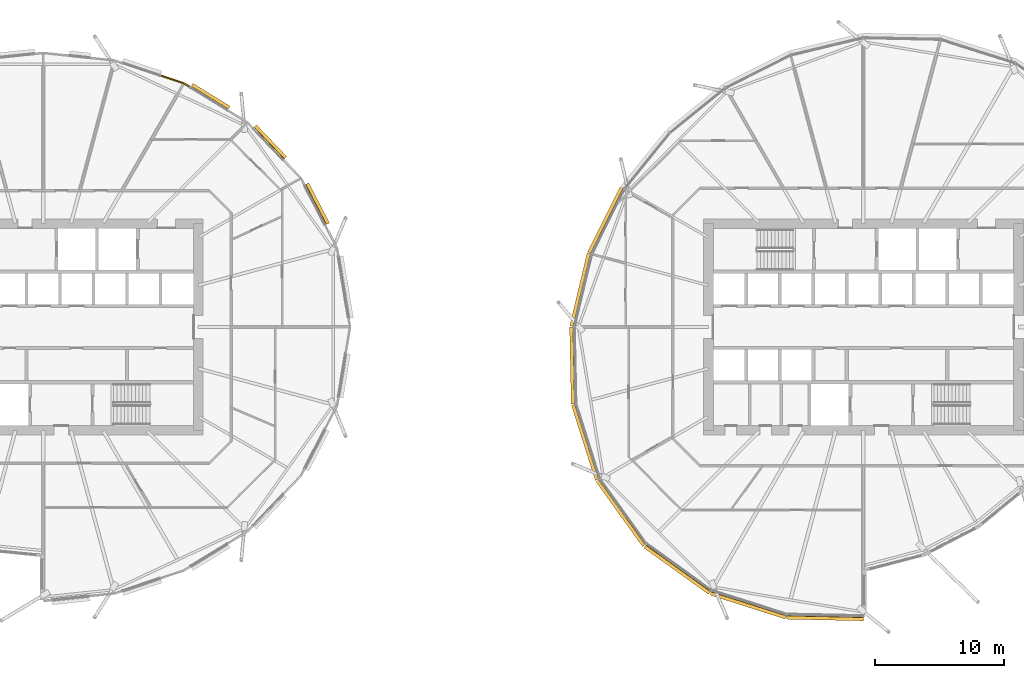
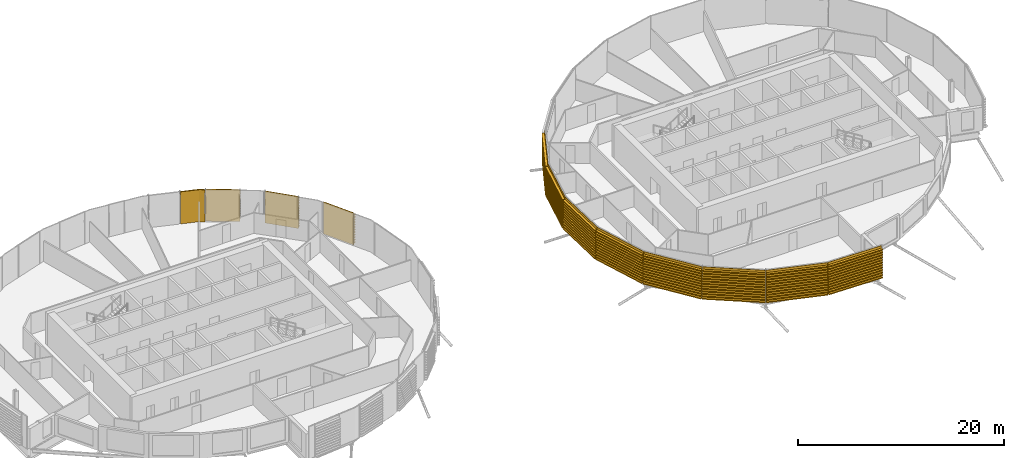
# One storey, part 38 of 40: 12 coverings.
"""IFC4 building model written with IfcOpenShell, lengths in metres."""

from ifc_helpers import new_model, si_unit, direction, frame, origin, place, context, subcontext, project, spatial, polyline, outline, extrude, material, layer, layer_set, material_profile, profile_set, type_object, element, save


model = new_model("IFC4")

# Units and contexts
model_context = context("Model", 3, precision=1e-05, world=origin(), true_north=direction((0.0, 1.0)))
body_context = subcontext(model_context, "Body", "Model", "MODEL_VIEW")
ifc_project = project(units=[si_unit("LENGTHUNIT", "METRE"), si_unit("AREAUNIT", "SQUARE_METRE"), si_unit("VOLUMEUNIT", "CUBIC_METRE"), si_unit("PLANEANGLEUNIT", "RADIAN"), si_unit("MASSUNIT", "GRAM", prefix="KILO")], contexts=[model_context])

# Site, building, storey
site_placement = place(None, origin())
site = spatial("IfcSite", under=ifc_project, at=site_placement, CompositionType="ELEMENT")
building_placement = place(site_placement, origin())
building = spatial("IfcBuilding", under=site, at=building_placement, Name="Rimbun Link Towers", CompositionType="ELEMENT")
storey_placement = place(building_placement, frame((0.0, 0.0, 89.199951171875)))
storey = spatial("IfcBuildingStorey", under=building, at=storey_placement, Name="L21", CompositionType="ELEMENT", Elevation=89.199951171875)

# Coverings
ifc_material_1 = material(Name="Terracotta", Category="masonry")
ifc_layer = layer(ifc_material_1, 0.1201171875)
ifc_layer_set = layer_set([ifc_layer], Name="LINK PIER terracotta cladding 120")
covering_type_1 = type_object("IfcCoveringType", Name="LINK PIER terracotta cladding 120", PredefinedType="CLADDING", material=ifc_layer_set)
covering_1_placement = place(storey_placement, origin())
element("IfcCovering", 1, at=covering_1_placement, inside=storey, type_object=covering_type_1, Name="LINK PIER cladding", PredefinedType="CLADDING", context=body_context, shape_type="SweptSolid", body=[
    extrude(outline(polyline([(-22.6630859375, 19.401611328125), (-20.88818359375, 18.8134765625), (-20.40234375, 18.51513671875), (-20.339599609375, 18.617431640625), (-20.837158203125, 18.9228515625), (-22.62548828125, 19.515625), (-22.6630859375, 19.401611328125)])), origin(), (0.0, 0.0, 1.0), 3.800048828125),
])
ifc_material_2 = material(Name="Terracotta", Category="masonry")
ifc_material_profile = material_profile(ifc_material_2, outline(polyline([(0.123046875, 0.0), (0.1630859375, 0.0), (0.1630859375, 0.10009765625), (0.423095703125, 0.10009765625), (0.423095703125, 0.219970703125), (0.1630859375, 0.219970703125), (0.1630859375, 0.39990234375), (0.423095703125, 0.39990234375), (0.423095703125, 0.52001953125), (0.1630859375, 0.52001953125), (0.1630859375, 0.699951171875), (0.423095703125, 0.699951171875), (0.423095703125, 0.820068359375), (0.1630859375, 0.820068359375), (0.1630859375, 1.0), (0.423095703125, 1.0), (0.423095703125, 1.1201171875), (0.1630859375, 1.1201171875), (0.1630859375, 1.300048828125), (0.423095703125, 1.300048828125), (0.423095703125, 1.419921875), (0.1630859375, 1.419921875), (0.1630859375, 1.60009765625), (0.423095703125, 1.60009765625), (0.423095703125, 1.719970703125), (0.1630859375, 1.719970703125), (0.1630859375, 1.89990234375), (0.423095703125, 1.89990234375), (0.423095703125, 2.02001953125), (0.1630859375, 2.02001953125), (0.1630859375, 2.199951171875), (0.423095703125, 2.199951171875), (0.423095703125, 2.320068359375), (0.1630859375, 2.320068359375), (0.1630859375, 2.5), (0.423095703125, 2.5), (0.423095703125, 2.6201171875), (0.1630859375, 2.6201171875), (0.1630859375, 2.800048828125), (0.423095703125, 2.800048828125), (0.423095703125, 2.919921875), (0.1630859375, 2.919921875), (0.1630859375, 3.10009765625), (0.423095703125, 3.10009765625), (0.423095703125, 3.219970703125), (0.1630859375, 3.219970703125), (0.1630859375, 3.39990234375), (0.423095703125, 3.39990234375), (0.423095703125, 3.52001953125), (0.1630859375, 3.52001953125), (0.1630859375, 3.800048828125), (0.123046875, 3.800048828125), (0.123046875, 0.0)])), Name="BAGUETTE 120X300")
ifc_profile_set = profile_set([ifc_material_profile], Name="Terracotta")
covering_type_2 = type_object("IfcCoveringType", Name="TERRACOTTA BAGUETTE 120X300 H3800", PredefinedType="CLADDING", material=ifc_profile_set)
covering_2_placement = place(storey_placement, frame((-11.567626953125, 10.960205078125, 0.0), z_axis=(0.459537083826, -0.888158583018, 0.0), x_axis=(0.888158583018, 0.459537083826, 0.0)))
element("IfcCovering", 2, at=covering_2_placement, inside=storey, type_object=covering_type_2, Name="TERRACOTTA BAGUETTE", PredefinedType="CLADDING", context=body_context, shape_type="SweptSolid", body=[
    extrude(outline(polyline([(0.123046875, 0.0), (0.1630859375, 0.0), (0.1630859375, 0.10009765625), (0.423095703125, 0.10009765625), (0.423095703125, 0.219970703125), (0.1630859375, 0.219970703125), (0.1630859375, 0.39990234375), (0.423095703125, 0.39990234375), (0.423095703125, 0.52001953125), (0.1630859375, 0.52001953125), (0.1630859375, 0.699951171875), (0.423095703125, 0.699951171875), (0.423095703125, 0.820068359375), (0.1630859375, 0.820068359375), (0.1630859375, 1.0), (0.423095703125, 1.0), (0.423095703125, 1.1201171875), (0.1630859375, 1.1201171875), (0.1630859375, 1.300048828125), (0.423095703125, 1.300048828125), (0.423095703125, 1.419921875), (0.1630859375, 1.419921875), (0.1630859375, 1.60009765625), (0.423095703125, 1.60009765625), (0.423095703125, 1.719970703125), (0.1630859375, 1.719970703125), (0.1630859375, 1.89990234375), (0.423095703125, 1.89990234375), (0.423095703125, 2.02001953125), (0.1630859375, 2.02001953125), (0.1630859375, 2.199951171875), (0.423095703125, 2.199951171875), (0.423095703125, 2.320068359375), (0.1630859375, 2.320068359375), (0.1630859375, 2.5), (0.423095703125, 2.5), (0.423095703125, 2.6201171875), (0.1630859375, 2.6201171875), (0.1630859375, 2.800048828125), (0.423095703125, 2.800048828125), (0.423095703125, 2.919921875), (0.1630859375, 2.919921875), (0.1630859375, 3.10009765625), (0.423095703125, 3.10009765625), (0.423095703125, 3.219970703125), (0.1630859375, 3.219970703125), (0.1630859375, 3.39990234375), (0.423095703125, 3.39990234375), (0.423095703125, 3.52001953125), (0.1630859375, 3.52001953125), (0.1630859375, 3.800048828125), (0.123046875, 3.800048828125), (0.123046875, 0.0)])), origin(), (0.0, 0.0, 1.0), 3.490478515625),
])
covering_3_placement = place(storey_placement, frame((-15.546142578125, 15.35546875, 0.0), z_axis=(0.692016066289, -0.721882098406, 0.0), x_axis=(0.721882098406, 0.692016066289, 0.0)))
element("IfcCovering", 3, at=covering_3_placement, inside=storey, type_object=covering_type_2, Name="TERRACOTTA BAGUETTE", PredefinedType="CLADDING", context=body_context, shape_type="SweptSolid", body=[
    extrude(outline(polyline([(0.123046875, 0.0), (0.1630859375, 0.0), (0.1630859375, 0.10009765625), (0.423095703125, 0.10009765625), (0.423095703125, 0.219970703125), (0.1630859375, 0.219970703125), (0.1630859375, 0.39990234375), (0.423095703125, 0.39990234375), (0.423095703125, 0.52001953125), (0.1630859375, 0.52001953125), (0.1630859375, 0.699951171875), (0.423095703125, 0.699951171875), (0.423095703125, 0.820068359375), (0.1630859375, 0.820068359375), (0.1630859375, 1.0), (0.423095703125, 1.0), (0.423095703125, 1.1201171875), (0.1630859375, 1.1201171875), (0.1630859375, 1.300048828125), (0.423095703125, 1.300048828125), (0.423095703125, 1.419921875), (0.1630859375, 1.419921875), (0.1630859375, 1.60009765625), (0.423095703125, 1.60009765625), (0.423095703125, 1.719970703125), (0.1630859375, 1.719970703125), (0.1630859375, 1.89990234375), (0.423095703125, 1.89990234375), (0.423095703125, 2.02001953125), (0.1630859375, 2.02001953125), (0.1630859375, 2.199951171875), (0.423095703125, 2.199951171875), (0.423095703125, 2.320068359375), (0.1630859375, 2.320068359375), (0.1630859375, 2.5), (0.423095703125, 2.5), (0.423095703125, 2.6201171875), (0.1630859375, 2.6201171875), (0.1630859375, 2.800048828125), (0.423095703125, 2.800048828125), (0.423095703125, 2.919921875), (0.1630859375, 2.919921875), (0.1630859375, 3.10009765625), (0.423095703125, 3.10009765625), (0.423095703125, 3.219970703125), (0.1630859375, 3.219970703125), (0.1630859375, 3.39990234375), (0.423095703125, 3.39990234375), (0.423095703125, 3.52001953125), (0.1630859375, 3.52001953125), (0.1630859375, 3.800048828125), (0.123046875, 3.800048828125), (0.123046875, 0.0)])), origin(), (0.0, 0.0, 1.0), 3.400634765625),
])
covering_4_placement = place(storey_placement, frame((-20.376708984375, 18.49951171875, 0.0), z_axis=(0.85216614194, -0.523271312544, 0.0), x_axis=(0.523271312544, 0.85216614194, 0.0)))
element("IfcCovering", 4, at=covering_4_placement, inside=storey, type_object=covering_type_2, Name="TERRACOTTA BAGUETTE", PredefinedType="CLADDING", context=body_context, shape_type="SweptSolid", body=[
    extrude(outline(polyline([(0.123046875, 0.0), (0.1630859375, 0.0), (0.1630859375, 0.10009765625), (0.423095703125, 0.10009765625), (0.423095703125, 0.219970703125), (0.1630859375, 0.219970703125), (0.1630859375, 0.39990234375), (0.423095703125, 0.39990234375), (0.423095703125, 0.52001953125), (0.1630859375, 0.52001953125), (0.1630859375, 0.699951171875), (0.423095703125, 0.699951171875), (0.423095703125, 0.820068359375), (0.1630859375, 0.820068359375), (0.1630859375, 1.0), (0.423095703125, 1.0), (0.423095703125, 1.1201171875), (0.1630859375, 1.1201171875), (0.1630859375, 1.300048828125), (0.423095703125, 1.300048828125), (0.423095703125, 1.419921875), (0.1630859375, 1.419921875), (0.1630859375, 1.60009765625), (0.423095703125, 1.60009765625), (0.423095703125, 1.719970703125), (0.1630859375, 1.719970703125), (0.1630859375, 1.89990234375), (0.423095703125, 1.89990234375), (0.423095703125, 2.02001953125), (0.1630859375, 2.02001953125), (0.1630859375, 2.199951171875), (0.423095703125, 2.199951171875), (0.423095703125, 2.320068359375), (0.1630859375, 2.320068359375), (0.1630859375, 2.5), (0.423095703125, 2.5), (0.423095703125, 2.6201171875), (0.1630859375, 2.6201171875), (0.1630859375, 2.800048828125), (0.423095703125, 2.800048828125), (0.423095703125, 2.919921875), (0.1630859375, 2.919921875), (0.1630859375, 3.10009765625), (0.423095703125, 3.10009765625), (0.423095703125, 3.219970703125), (0.1630859375, 3.219970703125), (0.1630859375, 3.39990234375), (0.423095703125, 3.39990234375), (0.423095703125, 3.52001953125), (0.1630859375, 3.52001953125), (0.1630859375, 3.800048828125), (0.123046875, 3.800048828125), (0.123046875, 0.0)])), origin(), (0.0, 0.0, 1.0), 3.381103515625),
])
covering_5_placement = place(storey_placement, frame((10.766357421875, 5.62255859375, 0.0), z_axis=(0.448790798271, 0.893636849837, 0.0), x_axis=(-0.893636849837, 0.448790798271, 0.0)))
element("IfcCovering", 5, at=covering_5_placement, inside=storey, type_object=covering_type_2, Name="TERRACOTTA BAGUETTE", PredefinedType="CLADDING", context=body_context, shape_type="SweptSolid", body=[
    extrude(outline(polyline([(0.123046875, 0.0), (0.1630859375, 0.0), (0.1630859375, 0.10009765625), (0.423095703125, 0.10009765625), (0.423095703125, 0.219970703125), (0.1630859375, 0.219970703125), (0.1630859375, 0.39990234375), (0.423095703125, 0.39990234375), (0.423095703125, 0.52001953125), (0.1630859375, 0.52001953125), (0.1630859375, 0.699951171875), (0.423095703125, 0.699951171875), (0.423095703125, 0.820068359375), (0.1630859375, 0.820068359375), (0.1630859375, 1.0), (0.423095703125, 1.0), (0.423095703125, 1.1201171875), (0.1630859375, 1.1201171875), (0.1630859375, 1.300048828125), (0.423095703125, 1.300048828125), (0.423095703125, 1.419921875), (0.1630859375, 1.419921875), (0.1630859375, 1.60009765625), (0.423095703125, 1.60009765625), (0.423095703125, 1.719970703125), (0.1630859375, 1.719970703125), (0.1630859375, 1.89990234375), (0.423095703125, 1.89990234375), (0.423095703125, 2.02001953125), (0.1630859375, 2.02001953125), (0.1630859375, 2.199951171875), (0.423095703125, 2.199951171875), (0.423095703125, 2.320068359375), (0.1630859375, 2.320068359375), (0.1630859375, 2.5), (0.423095703125, 2.5), (0.423095703125, 2.6201171875), (0.1630859375, 2.6201171875), (0.1630859375, 2.800048828125), (0.423095703125, 2.800048828125), (0.423095703125, 2.919921875), (0.1630859375, 2.919921875), (0.1630859375, 3.10009765625), (0.423095703125, 3.10009765625), (0.423095703125, 3.219970703125), (0.1630859375, 3.219970703125), (0.1630859375, 3.39990234375), (0.423095703125, 3.39990234375), (0.423095703125, 3.52001953125), (0.1630859375, 3.52001953125), (0.1630859375, 3.800048828125), (0.123046875, 3.800048828125), (0.123046875, 0.0)])), origin(), (0.0, 0.0, 1.0), 5.632080078125),
])
covering_6_placement = place(storey_placement, frame((9.421630859375, 0.0, 0.0), z_axis=(0.232606212243, 0.972570999992, 0.0), x_axis=(-0.972570999992, 0.232606212243, 0.0)))
element("IfcCovering", 6, at=covering_6_placement, inside=storey, type_object=covering_type_2, Name="TERRACOTTA BAGUETTE", PredefinedType="CLADDING", context=body_context, shape_type="SweptSolid", body=[
    extrude(outline(polyline([(0.123046875, 0.0), (0.1630859375, 0.0), (0.1630859375, 0.10009765625), (0.423095703125, 0.10009765625), (0.423095703125, 0.219970703125), (0.1630859375, 0.219970703125), (0.1630859375, 0.39990234375), (0.423095703125, 0.39990234375), (0.423095703125, 0.52001953125), (0.1630859375, 0.52001953125), (0.1630859375, 0.699951171875), (0.423095703125, 0.699951171875), (0.423095703125, 0.820068359375), (0.1630859375, 0.820068359375), (0.1630859375, 1.0), (0.423095703125, 1.0), (0.423095703125, 1.1201171875), (0.1630859375, 1.1201171875), (0.1630859375, 1.300048828125), (0.423095703125, 1.300048828125), (0.423095703125, 1.419921875), (0.1630859375, 1.419921875), (0.1630859375, 1.60009765625), (0.423095703125, 1.60009765625), (0.423095703125, 1.719970703125), (0.1630859375, 1.719970703125), (0.1630859375, 1.89990234375), (0.423095703125, 1.89990234375), (0.423095703125, 2.02001953125), (0.1630859375, 2.02001953125), (0.1630859375, 2.199951171875), (0.423095703125, 2.199951171875), (0.423095703125, 2.320068359375), (0.1630859375, 2.320068359375), (0.1630859375, 2.5), (0.423095703125, 2.5), (0.423095703125, 2.6201171875), (0.1630859375, 2.6201171875), (0.1630859375, 2.800048828125), (0.423095703125, 2.800048828125), (0.423095703125, 2.919921875), (0.1630859375, 2.919921875), (0.1630859375, 3.10009765625), (0.423095703125, 3.10009765625), (0.423095703125, 3.219970703125), (0.1630859375, 3.219970703125), (0.1630859375, 3.39990234375), (0.423095703125, 3.39990234375), (0.423095703125, 3.52001953125), (0.1630859375, 3.52001953125), (0.1630859375, 3.800048828125), (0.123046875, 3.800048828125), (0.123046875, 0.0)])), origin(), (0.0, 0.0, 1.0), 5.78125),
])
covering_7_placement = place(storey_placement, frame((9.547119140625, -5.94921875, 0.0), z_axis=(-0.021088546147, 0.999777611882, 0.0), x_axis=(-0.999777611882, -0.021088546147, 0.0)))
element("IfcCovering", 7, at=covering_7_placement, inside=storey, type_object=covering_type_2, Name="TERRACOTTA BAGUETTE", PredefinedType="CLADDING", context=body_context, shape_type="SweptSolid", body=[
    extrude(outline(polyline([(0.123046875, 0.0), (0.1630859375, 0.0), (0.1630859375, 0.10009765625), (0.423095703125, 0.10009765625), (0.423095703125, 0.219970703125), (0.1630859375, 0.219970703125), (0.1630859375, 0.39990234375), (0.423095703125, 0.39990234375), (0.423095703125, 0.52001953125), (0.1630859375, 0.52001953125), (0.1630859375, 0.699951171875), (0.423095703125, 0.699951171875), (0.423095703125, 0.820068359375), (0.1630859375, 0.820068359375), (0.1630859375, 1.0), (0.423095703125, 1.0), (0.423095703125, 1.1201171875), (0.1630859375, 1.1201171875), (0.1630859375, 1.300048828125), (0.423095703125, 1.300048828125), (0.423095703125, 1.419921875), (0.1630859375, 1.419921875), (0.1630859375, 1.60009765625), (0.423095703125, 1.60009765625), (0.423095703125, 1.719970703125), (0.1630859375, 1.719970703125), (0.1630859375, 1.89990234375), (0.423095703125, 1.89990234375), (0.423095703125, 2.02001953125), (0.1630859375, 2.02001953125), (0.1630859375, 2.199951171875), (0.423095703125, 2.199951171875), (0.423095703125, 2.320068359375), (0.1630859375, 2.320068359375), (0.1630859375, 2.5), (0.423095703125, 2.5), (0.423095703125, 2.6201171875), (0.1630859375, 2.6201171875), (0.1630859375, 2.800048828125), (0.423095703125, 2.800048828125), (0.423095703125, 2.919921875), (0.1630859375, 2.919921875), (0.1630859375, 3.10009765625), (0.423095703125, 3.10009765625), (0.423095703125, 3.219970703125), (0.1630859375, 3.219970703125), (0.1630859375, 3.39990234375), (0.423095703125, 3.39990234375), (0.423095703125, 3.52001953125), (0.1630859375, 3.52001953125), (0.1630859375, 3.800048828125), (0.123046875, 3.800048828125), (0.123046875, 0.0)])), origin(), (0.0, 0.0, 1.0), 5.950439453125),
])
covering_8_placement = place(storey_placement, frame((11.392822265625, -11.753173828125, 0.0), z_axis=(-0.303053085112, 0.952973676239, 0.0), x_axis=(-0.952973676239, -0.303053085112, 0.0)))
element("IfcCovering", 8, at=covering_8_placement, inside=storey, type_object=covering_type_2, Name="TERRACOTTA BAGUETTE", PredefinedType="CLADDING", context=body_context, shape_type="SweptSolid", body=[
    extrude(outline(polyline([(0.123046875, 0.0), (0.1630859375, 0.0), (0.1630859375, 0.10009765625), (0.423095703125, 0.10009765625), (0.423095703125, 0.219970703125), (0.1630859375, 0.219970703125), (0.1630859375, 0.39990234375), (0.423095703125, 0.39990234375), (0.423095703125, 0.52001953125), (0.1630859375, 0.52001953125), (0.1630859375, 0.699951171875), (0.423095703125, 0.699951171875), (0.423095703125, 0.820068359375), (0.1630859375, 0.820068359375), (0.1630859375, 1.0), (0.423095703125, 1.0), (0.423095703125, 1.1201171875), (0.1630859375, 1.1201171875), (0.1630859375, 1.300048828125), (0.423095703125, 1.300048828125), (0.423095703125, 1.419921875), (0.1630859375, 1.419921875), (0.1630859375, 1.60009765625), (0.423095703125, 1.60009765625), (0.423095703125, 1.719970703125), (0.1630859375, 1.719970703125), (0.1630859375, 1.89990234375), (0.423095703125, 1.89990234375), (0.423095703125, 2.02001953125), (0.1630859375, 2.02001953125), (0.1630859375, 2.199951171875), (0.423095703125, 2.199951171875), (0.423095703125, 2.320068359375), (0.1630859375, 2.320068359375), (0.1630859375, 2.5), (0.423095703125, 2.5), (0.423095703125, 2.6201171875), (0.1630859375, 2.6201171875), (0.1630859375, 2.800048828125), (0.423095703125, 2.800048828125), (0.423095703125, 2.919921875), (0.1630859375, 2.919921875), (0.1630859375, 3.10009765625), (0.423095703125, 3.10009765625), (0.423095703125, 3.219970703125), (0.1630859375, 3.219970703125), (0.1630859375, 3.39990234375), (0.423095703125, 3.39990234375), (0.423095703125, 3.52001953125), (0.1630859375, 3.52001953125), (0.1630859375, 3.800048828125), (0.123046875, 3.800048828125), (0.123046875, 0.0)])), origin(), (0.0, 0.0, 1.0), 6.09033203125),
])
for number, where, z_axis, x_axis, name in (
    (9, (14.9873046875, -16.7626953125, 0.0), (-0.582982322228, 0.812484837994, 0.0), (-0.812484837994, -0.582982322228, 0.0), "TERRACOTTA BAGUETTE"),
    (10, (19.996826171875, -20.357177734375, 0.0), (-0.812484837994, 0.582982322228, 0.0), (-0.582982322228, -0.812484837994, 0.0), "TERRACOTTA BAGUETTE"),
):
    element("IfcCovering", number, at=place(storey_placement, frame(where, z_axis=z_axis, x_axis=x_axis)), inside=storey, type_object=covering_type_2, Name=name, PredefinedType="CLADDING", context=body_context, shape_type="SweptSolid", body=[
        extrude(outline(polyline([(0.123046875, 0.0), (0.1630859375, 0.0), (0.1630859375, 0.10009765625), (0.423095703125, 0.10009765625), (0.423095703125, 0.219970703125), (0.1630859375, 0.219970703125), (0.1630859375, 0.39990234375), (0.423095703125, 0.39990234375), (0.423095703125, 0.52001953125), (0.1630859375, 0.52001953125), (0.1630859375, 0.699951171875), (0.423095703125, 0.699951171875), (0.423095703125, 0.820068359375), (0.1630859375, 0.820068359375), (0.1630859375, 1.0), (0.423095703125, 1.0), (0.423095703125, 1.1201171875), (0.1630859375, 1.1201171875), (0.1630859375, 1.300048828125), (0.423095703125, 1.300048828125), (0.423095703125, 1.419921875), (0.1630859375, 1.419921875), (0.1630859375, 1.60009765625), (0.423095703125, 1.60009765625), (0.423095703125, 1.719970703125), (0.1630859375, 1.719970703125), (0.1630859375, 1.89990234375), (0.423095703125, 1.89990234375), (0.423095703125, 2.02001953125), (0.1630859375, 2.02001953125), (0.1630859375, 2.199951171875), (0.423095703125, 2.199951171875), (0.423095703125, 2.320068359375), (0.1630859375, 2.320068359375), (0.1630859375, 2.5), (0.423095703125, 2.5), (0.423095703125, 2.6201171875), (0.1630859375, 2.6201171875), (0.1630859375, 2.800048828125), (0.423095703125, 2.800048828125), (0.423095703125, 2.919921875), (0.1630859375, 2.919921875), (0.1630859375, 3.10009765625), (0.423095703125, 3.10009765625), (0.423095703125, 3.219970703125), (0.1630859375, 3.219970703125), (0.1630859375, 3.39990234375), (0.423095703125, 3.39990234375), (0.423095703125, 3.52001953125), (0.1630859375, 3.52001953125), (0.1630859375, 3.800048828125), (0.123046875, 3.800048828125), (0.123046875, 0.0)])), origin(), (0.0, 0.0, 1.0), 6.165771484375),
    ])
covering_9_placement = place(storey_placement, frame((25.80078125, -22.202880859375, 0.0), z_axis=(-0.952973676239, 0.303053085112, 0.0), x_axis=(-0.303053085112, -0.952973676239, 0.0)))
element("IfcCovering", 11, at=covering_9_placement, inside=storey, type_object=covering_type_2, Name="TERRACOTTA BAGUETTE", PredefinedType="CLADDING", context=body_context, shape_type="SweptSolid", body=[
    extrude(outline(polyline([(0.123046875, 0.0), (0.1630859375, 0.0), (0.1630859375, 0.10009765625), (0.423095703125, 0.10009765625), (0.423095703125, 0.219970703125), (0.1630859375, 0.219970703125), (0.1630859375, 0.39990234375), (0.423095703125, 0.39990234375), (0.423095703125, 0.52001953125), (0.1630859375, 0.52001953125), (0.1630859375, 0.699951171875), (0.423095703125, 0.699951171875), (0.423095703125, 0.820068359375), (0.1630859375, 0.820068359375), (0.1630859375, 1.0), (0.423095703125, 1.0), (0.423095703125, 1.1201171875), (0.1630859375, 1.1201171875), (0.1630859375, 1.300048828125), (0.423095703125, 1.300048828125), (0.423095703125, 1.419921875), (0.1630859375, 1.419921875), (0.1630859375, 1.60009765625), (0.423095703125, 1.60009765625), (0.423095703125, 1.719970703125), (0.1630859375, 1.719970703125), (0.1630859375, 1.89990234375), (0.423095703125, 1.89990234375), (0.423095703125, 2.02001953125), (0.1630859375, 2.02001953125), (0.1630859375, 2.199951171875), (0.423095703125, 2.199951171875), (0.423095703125, 2.320068359375), (0.1630859375, 2.320068359375), (0.1630859375, 2.5), (0.423095703125, 2.5), (0.423095703125, 2.6201171875), (0.1630859375, 2.6201171875), (0.1630859375, 2.800048828125), (0.423095703125, 2.800048828125), (0.423095703125, 2.919921875), (0.1630859375, 2.919921875), (0.1630859375, 3.10009765625), (0.423095703125, 3.10009765625), (0.423095703125, 3.219970703125), (0.1630859375, 3.219970703125), (0.1630859375, 3.39990234375), (0.423095703125, 3.39990234375), (0.423095703125, 3.52001953125), (0.1630859375, 3.52001953125), (0.1630859375, 3.800048828125), (0.123046875, 3.800048828125), (0.123046875, 0.0)])), origin(), (0.0, 0.0, 1.0), 6.09033203125),
])
covering_10_placement = place(storey_placement, frame((31.75, -22.328369140625, 0.0), z_axis=(-0.999777611882, 0.021088546147, 0.0), x_axis=(-0.021088546147, -0.999777611882, 0.0)))
element("IfcCovering", 12, at=covering_10_placement, inside=storey, type_object=covering_type_2, Name="TERRACOTTA BAGUETTE", PredefinedType="CLADDING", context=body_context, shape_type="SweptSolid", body=[
    extrude(outline(polyline([(0.123046875, 0.0), (0.1630859375, 0.0), (0.1630859375, 0.10009765625), (0.423095703125, 0.10009765625), (0.423095703125, 0.219970703125), (0.1630859375, 0.219970703125), (0.1630859375, 0.39990234375), (0.423095703125, 0.39990234375), (0.423095703125, 0.52001953125), (0.1630859375, 0.52001953125), (0.1630859375, 0.699951171875), (0.423095703125, 0.699951171875), (0.423095703125, 0.820068359375), (0.1630859375, 0.820068359375), (0.1630859375, 1.0), (0.423095703125, 1.0), (0.423095703125, 1.1201171875), (0.1630859375, 1.1201171875), (0.1630859375, 1.300048828125), (0.423095703125, 1.300048828125), (0.423095703125, 1.419921875), (0.1630859375, 1.419921875), (0.1630859375, 1.60009765625), (0.423095703125, 1.60009765625), (0.423095703125, 1.719970703125), (0.1630859375, 1.719970703125), (0.1630859375, 1.89990234375), (0.423095703125, 1.89990234375), (0.423095703125, 2.02001953125), (0.1630859375, 2.02001953125), (0.1630859375, 2.199951171875), (0.423095703125, 2.199951171875), (0.423095703125, 2.320068359375), (0.1630859375, 2.320068359375), (0.1630859375, 2.5), (0.423095703125, 2.5), (0.423095703125, 2.6201171875), (0.1630859375, 2.6201171875), (0.1630859375, 2.800048828125), (0.423095703125, 2.800048828125), (0.423095703125, 2.919921875), (0.1630859375, 2.919921875), (0.1630859375, 3.10009765625), (0.423095703125, 3.10009765625), (0.423095703125, 3.219970703125), (0.1630859375, 3.219970703125), (0.1630859375, 3.39990234375), (0.423095703125, 3.39990234375), (0.423095703125, 3.52001953125), (0.1630859375, 3.52001953125), (0.1630859375, 3.800048828125), (0.123046875, 3.800048828125), (0.123046875, 0.0)])), origin(), (0.0, 0.0, 1.0), 5.950439453125),
])

save(model, "model.ifc")
